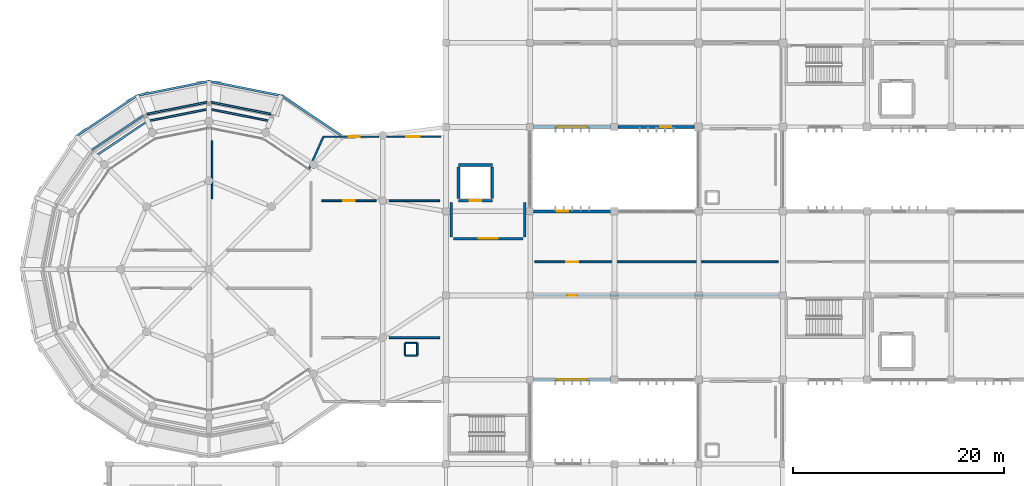
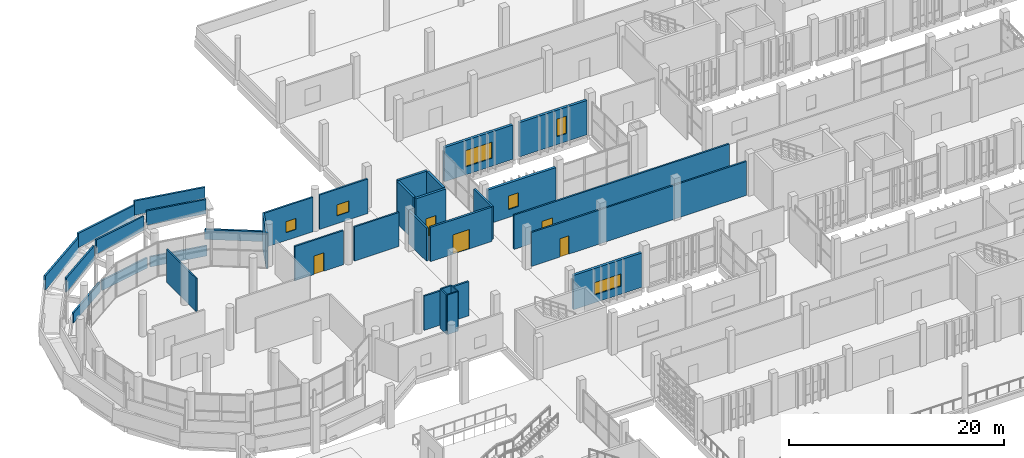
# One storey, part 79 of 106: 34 walls, 6 windows, 5 doors, 11 openings.
"""IFC4 building model written with IfcOpenShell, lengths in metres."""

from ifc_helpers import new_model, si_unit, direction, frame, frame_2d, origin, place, context, subcontext, project, spatial, rectangle, extrude, material, layer, layer_set, type_object, element, fill, save


model = new_model("IFC4")

# Units and contexts
model_context = context("Model", 3, precision=1e-05, world=origin(), true_north=direction((0.0, 1.0)))
body_context = subcontext(model_context, "Body", "Model", "MODEL_VIEW")
ifc_project = project(units=[si_unit("LENGTHUNIT", "METRE"), si_unit("AREAUNIT", "SQUARE_METRE"), si_unit("VOLUMEUNIT", "CUBIC_METRE"), si_unit("PLANEANGLEUNIT", "RADIAN"), si_unit("MASSUNIT", "GRAM", prefix="KILO")], contexts=[model_context])

# Site, building, storey
site_placement = place(None, origin())
site = spatial("IfcSite", under=ifc_project, at=site_placement, CompositionType="ELEMENT")
building_placement = place(site_placement, origin())
building = spatial("IfcBuilding", under=site, at=building_placement, Name="Jelvoka-Kovrelna Polytechnic", CompositionType="ELEMENT")
storey_placement = place(building_placement, frame((0.0, 0.0, 4.800048828125)))
storey = spatial("IfcBuildingStorey", under=building, at=storey_placement, Name="L02", CompositionType="ELEMENT", Elevation=4.800048828125)

# Wall, opening, door
ifc_material_1 = material(Name="Concrete C35/45", Category="concrete")
ifc_layer_1 = layer(ifc_material_1, 0.219970703125)
ifc_layer_set_1 = layer_set([ifc_layer_1], Name="Concrete C35/45")
wall_type_1 = type_object("IfcWallType", Name="Wall_Compartment_220", PredefinedType="PARTITIONING", material=ifc_layer_set_1)
wall_1_placement = place(storey_placement, frame((48.699951171875, 45.39990234375, 0.0), z_axis=(0.0, 0.0, 1.0), x_axis=(1.0, 0.0, 0.0)))
wall_1 = element("IfcWall", 1, at=wall_1_placement, inside=storey, type_object=wall_type_1, Name="L02 interior wall 0574", PredefinedType="PARTITIONING", context=body_context, shape_type="SweptSolid", body=[
    extrude(rectangle(XDim=6.60009765625, YDim=0.219970703125, at=frame_2d((3.300048828125, 0.0))), origin(), (0.0, 0.0, 1.0), 3.89990234375),
])
opening_1_placement = place(wall_1_placement, frame((2.39990234375, 0.0, 0.0)))
opening_1 = element("IfcOpeningElement", 2, at=opening_1_placement, cuts=wall_1, Name="Opening FD-L02-103", PredefinedType="OPENING", context=body_context, shape_type="SweptSolid", body=[
    extrude(rectangle(XDim=1.800048828125, YDim=2.199951171875, at=frame_2d((0.89990234375, 1.10009765625))), frame((0.0, 0.119873046875, 0.0), z_axis=(0.0, -1.0, 0.0), x_axis=(1.0, 0.0, 0.0)), (0.0, 0.0, 1.0), 0.239990234375),
])
ifc_material_2 = material(Name="Paired steel corridor fire door", Category="steel")
door_type_1 = type_object("IfcDoorType", Name="Door_Fire_FD03", OperationType="NOTDEFINED", PredefinedType="DOOR", material=ifc_material_2)
door_1_placement = place(opening_1_placement, origin())
door_1 = element("IfcDoor", 3, at=door_1_placement, inside=storey, type_object=door_type_1, Name="L02 interior door FD-L02-103", OperationType="DOUBLE_DOOR_SINGLE_SWING", OverallHeight=2.199951171875, OverallWidth=1.800048828125, PredefinedType="DOOR", context=body_context, shape_type="SweptSolid", body=[
    extrude(rectangle(XDim=1.800048828125, YDim=2.199951171875, at=frame_2d((0.89990234375, 1.10009765625))), frame((0.0, 0.02490234375, 0.0), z_axis=(0.0, -1.0, 0.0), x_axis=(1.0, 0.0, 0.0)), (0.0, 0.0, 1.0), 0.050048828125),
])
fill(opening_1, door_1)

# Walls
for number, where, z_axis, x_axis, name in (
    (4, (48.5, 45.550048828125, 0.0), (0.0, 0.0, 1.0), (0.0, 1.0, 0.0), "L02 interior wall 0575"),
    (5, (55.5, 45.550048828125, 0.0), (0.0, 0.0, 1.0), (0.0, 1.0, 0.0), "L02 interior wall 0576"),
):
    element("IfcWall", number, at=place(storey_placement, frame(where, z_axis=z_axis, x_axis=x_axis)), inside=storey, type_object=wall_type_1, Name=name, PredefinedType="PARTITIONING", context=body_context, shape_type="SweptSolid", body=[
        extrude(rectangle(XDim=3.300048828125, YDim=0.219970703125, at=frame_2d((1.64990234375, 0.0))), origin(), (0.0, 0.0, 1.0), 3.760009765625),
    ])

# Wall, opening, door
ifc_material_3 = material(Name="Concrete C40/50", Category="concrete")
ifc_layer_2 = layer(ifc_material_3, 0.25)
ifc_layer_set_2 = layer_set([ifc_layer_2], Name="Concrete C40/50")
wall_type_2 = type_object("IfcWallType", Name="Wall_Core_250", PredefinedType="SOLIDWALL", material=ifc_layer_set_2)
wall_2_placement = place(storey_placement, frame((49.199951171875, 49.0, 0.0), z_axis=(0.0, 0.0, 1.0), x_axis=(1.0, 0.0, 0.0)))
wall_2 = element("IfcWall", 6, at=wall_2_placement, inside=storey, type_object=wall_type_2, Name="L02 interior wall 0570", PredefinedType="SOLIDWALL", context=body_context, shape_type="SweptSolid", body=[
    extrude(rectangle(XDim=3.199951171875, YDim=0.25, at=frame_2d((1.60009765625, 0.0))), origin(), (0.0, 0.0, 1.0), 4.800048828125),
])
opening_2_placement = place(wall_2_placement, frame((1.050048828125, 0.0, 0.0)))
opening_2 = element("IfcOpeningElement", 7, at=opening_2_placement, cuts=wall_2, Name="Opening LD-L02-40", PredefinedType="OPENING", context=body_context, shape_type="SweptSolid", body=[
    extrude(rectangle(XDim=1.10009765625, YDim=2.14990234375, at=frame_2d((0.550048828125, 1.074951171875))), frame((0.0, 0.135009765625, 0.0), z_axis=(0.0, -1.0, 0.0), x_axis=(1.0, 0.0, 0.0)), (0.0, 0.0, 1.0), 0.27001953125),
])
ifc_material_4 = material(Name="Brushed stainless steel sliding landing door", Category="steel")
door_type_2 = type_object("IfcDoorType", Name="Door_Lift_LD01", OperationType="NOTDEFINED", PredefinedType="DOOR", material=ifc_material_4)
door_2_placement = place(opening_2_placement, origin())
door_2 = element("IfcDoor", 8, at=door_2_placement, inside=storey, type_object=door_type_2, Name="L02 lift landing sliding door LD-L02-40", OperationType="DOUBLE_DOOR_SLIDING", OverallHeight=2.14990234375, OverallWidth=1.10009765625, PredefinedType="DOOR", context=body_context, shape_type="SweptSolid", body=[
    extrude(rectangle(XDim=1.10009765625, YDim=2.14990234375, at=frame_2d((0.550048828125, 1.074951171875))), frame((0.0, 0.02490234375, 0.0), z_axis=(0.0, -1.0, 0.0), x_axis=(1.0, 0.0, 0.0)), (0.0, 0.0, 1.0), 0.050048828125),
])
fill(opening_2, door_2)

# Walls
wall_3_placement = place(storey_placement, frame((49.199951171875, 52.39990234375, 0.0), z_axis=(0.0, 0.0, 1.0), x_axis=(1.0, 0.0, 0.0)))
element("IfcWall", 9, at=wall_3_placement, inside=storey, type_object=wall_type_2, Name="L02 interior wall 0571", PredefinedType="SOLIDWALL", context=body_context, shape_type="SweptSolid", body=[
    extrude(rectangle(XDim=3.199951171875, YDim=0.25, at=frame_2d((1.60009765625, 0.0))), origin(), (0.0, 0.0, 1.0), 4.800048828125),
])
for number, where, z_axis, x_axis, name in (
    (10, (49.199951171875, 49.199951171875, 0.0), (0.0, 0.0, 1.0), (0.0, 1.0, 0.0), "L02 interior wall 0572"),
    (11, (52.39990234375, 49.199951171875, 0.0), (0.0, 0.0, 1.0), (0.0, 1.0, 0.0), "L02 interior wall 0573"),
):
    element("IfcWall", number, at=place(storey_placement, frame(where, z_axis=z_axis, x_axis=x_axis)), inside=storey, type_object=wall_type_2, Name=name, PredefinedType="SOLIDWALL", context=body_context, shape_type="SweptSolid", body=[
        extrude(rectangle(XDim=3.0, YDim=0.25, at=frame_2d((1.5, 0.0))), origin(), (0.0, 0.0, 1.0), 4.800048828125),
    ])

# Wall, opening, door
ifc_material_5 = material(Name="Autoclaved aerated concrete blockwork", Category="masonry")
ifc_layer_3 = layer(ifc_material_5, 0.179931640625)
ifc_layer_set_3 = layer_set([ifc_layer_3], Name="Autoclaved aerated concrete blockwork")
wall_type_3 = type_object("IfcWallType", Name="Wall_Corridor_180", PredefinedType="PARTITIONING", material=ifc_layer_set_3)
wall_4_placement = place(storey_placement, frame((56.429931640625, 40.0, 0.0), z_axis=(0.0, 0.0, 1.0), x_axis=(1.0, 0.0, 0.0)))
wall_4 = element("IfcWall", 12, at=wall_4_placement, inside=storey, type_object=wall_type_3, Name="L02 interior wall 0960", PredefinedType="PARTITIONING", context=body_context, shape_type="SweptSolid", body=[
    extrude(rectangle(XDim=23.14013671875, YDim=0.179931640625, at=frame_2d((11.570068359375, 0.0))), origin(), (0.0, 0.0, 1.0), 3.85986328125),
])
opening_3_placement = place(wall_4_placement, frame((3.094970703125, 0.0, 0.0)))
opening_3 = element("IfcOpeningElement", 13, at=opening_3_placement, cuts=wall_4, Name="Opening D-L02-230", PredefinedType="OPENING", context=body_context, shape_type="SweptSolid", body=[
    extrude(rectangle(XDim=0.949951171875, YDim=2.10009765625, at=frame_2d((0.47509765625, 1.050048828125))), frame((0.0, 0.099853515625, 0.0), z_axis=(0.0, -1.0, 0.0), x_axis=(1.0, 0.0, 0.0)), (0.0, 0.0, 1.0), 0.199951171875),
])
ifc_material_6 = material(Name="Hardwood fire-resisting laboratory door", Category="wood")
door_type_3 = type_object("IfcDoorType", Name="Door_Fire_FD30_01", OperationType="NOTDEFINED", PredefinedType="DOOR", material=ifc_material_6)
door_3_placement = place(opening_3_placement, origin())
door_3 = element("IfcDoor", 14, at=door_3_placement, inside=storey, type_object=door_type_3, Name="L02 interior door D-L02-230", OperationType="SINGLE_SWING_RIGHT", OverallHeight=2.10009765625, OverallWidth=0.949951171875, PredefinedType="DOOR", context=body_context, shape_type="SweptSolid", body=[
    extrude(rectangle(XDim=0.949951171875, YDim=2.10009765625, at=frame_2d((0.47509765625, 1.050048828125))), frame((0.0, 0.02490234375, 0.0), z_axis=(0.0, -1.0, 0.0), x_axis=(1.0, 0.0, 0.0)), (0.0, 0.0, 1.0), 0.050048828125),
])
fill(opening_3, door_3)

wall_5_placement = place(storey_placement, frame((56.429931640625, 43.199951171875, 0.0), z_axis=(0.0, 0.0, 1.0), x_axis=(1.0, 0.0, 0.0)))
wall_5 = element("IfcWall", 15, at=wall_5_placement, inside=storey, type_object=wall_type_3, Name="L02 interior wall 0962", PredefinedType="PARTITIONING", context=body_context, shape_type="SweptSolid", body=[
    extrude(rectangle(XDim=23.14013671875, YDim=0.179931640625, at=frame_2d((11.570068359375, 0.0))), origin(), (0.0, 0.0, 1.0), 3.89990234375),
])
opening_4_placement = place(wall_5_placement, frame((2.9951171875, 0.0, 0.0)))
opening_4 = element("IfcOpeningElement", 16, at=opening_4_placement, cuts=wall_5, Name="Opening D-L02-232", PredefinedType="OPENING", context=body_context, shape_type="SweptSolid", body=[
    extrude(rectangle(XDim=1.14990234375, YDim=2.14990234375, at=frame_2d((0.574951171875, 1.074951171875))), frame((0.0, 0.099853515625, 0.0), z_axis=(0.0, -1.0, 0.0), x_axis=(1.0, 0.0, 0.0)), (0.0, 0.0, 1.0), 0.199951171875),
])
ifc_material_7 = material(Name="Hardwood fire-resisting laboratory door", Category="wood")
door_type_4 = type_object("IfcDoorType", Name="Door_Fire_FD30_03", OperationType="NOTDEFINED", PredefinedType="DOOR", material=ifc_material_7)
door_4_placement = place(opening_4_placement, origin())
door_4 = element("IfcDoor", 17, at=door_4_placement, inside=storey, type_object=door_type_4, Name="L02 interior door D-L02-232", OperationType="SINGLE_SWING_RIGHT", OverallHeight=2.14990234375, OverallWidth=1.14990234375, PredefinedType="DOOR", context=body_context, shape_type="SweptSolid", body=[
    extrude(rectangle(XDim=1.14990234375, YDim=2.14990234375, at=frame_2d((0.574951171875, 1.074951171875))), frame((0.0, 0.02490234375, 0.0), z_axis=(0.0, -1.0, 0.0), x_axis=(1.0, 0.0, 0.0)), (0.0, 0.0, 1.0), 0.050048828125),
])
fill(opening_4, door_4)

# Walls
wall_6_placement = place(storey_placement, frame((42.60009765625, 36.0, 0.0), z_axis=(0.0, 0.0, 1.0), x_axis=(1.0, 0.0, 0.0)))
element("IfcWall", 18, at=wall_6_placement, inside=storey, type_object=wall_type_3, Name="L02 interior wall 1011", PredefinedType="PARTITIONING", context=body_context, shape_type="SweptSolid", body=[
    extrude(rectangle(XDim=4.7998046875, YDim=0.179931640625, at=frame_2d((2.39990234375, 0.0))), origin(), (0.0, 0.0, 1.0), 3.89990234375),
])
wall_7_placement = place(storey_placement, frame((42.60009765625, 49.0, 0.0), z_axis=(0.0, 0.0, 1.0), x_axis=(1.0, 0.0, 0.0)))
element("IfcWall", 19, at=wall_7_placement, inside=storey, type_object=wall_type_3, Name="L02 interior wall 1014", PredefinedType="PARTITIONING", context=body_context, shape_type="SweptSolid", body=[
    extrude(rectangle(XDim=4.7998046875, YDim=0.179931640625, at=frame_2d((2.39990234375, 0.0))), origin(), (0.0, 0.0, 1.0), 3.875),
])

# Wall, opening, door
wall_8_placement = place(storey_placement, frame((36.199951171875, 49.0, 0.0), z_axis=(0.0, 0.0, 1.0), x_axis=(1.0, 0.0, 0.0)))
wall_8 = element("IfcWall", 20, at=wall_8_placement, inside=storey, type_object=wall_type_3, Name="L02 interior wall 1016", PredefinedType="PARTITIONING", context=body_context, shape_type="SweptSolid", body=[
    extrude(rectangle(XDim=5.199951171875, YDim=0.179931640625, at=frame_2d((2.60009765625, 0.0))), origin(), (0.0, 0.0, 1.0), 3.89990234375),
])
opening_5_placement = place(wall_8_placement, frame((2.070068359375, 0.0, 0.0)))
opening_5 = element("IfcOpeningElement", 21, at=opening_5_placement, cuts=wall_8, Name="Opening D-L02-267", PredefinedType="OPENING", context=body_context, shape_type="SweptSolid", body=[
    extrude(rectangle(XDim=1.06005859375, YDim=2.10009765625, at=frame_2d((0.530029296875, 1.050048828125))), frame((0.0, 0.099853515625, 0.0), z_axis=(0.0, -1.0, 0.0), x_axis=(1.0, 0.0, 0.0)), (0.0, 0.0, 1.0), 0.199951171875),
])
ifc_material_8 = material(Name="Hardwood solid-core door", Category="wood")
door_type_5 = type_object("IfcDoorType", Name="Door_Int_D05", OperationType="NOTDEFINED", PredefinedType="DOOR", material=ifc_material_8)
door_5_placement = place(opening_5_placement, origin())
door_5 = element("IfcDoor", 22, at=door_5_placement, inside=storey, type_object=door_type_5, Name="L02 interior door D-L02-267", OperationType="SINGLE_SWING_RIGHT", OverallHeight=2.10009765625, OverallWidth=1.06005859375, PredefinedType="DOOR", context=body_context, shape_type="SweptSolid", body=[
    extrude(rectangle(XDim=1.06005859375, YDim=2.10009765625, at=frame_2d((0.530029296875, 1.050048828125))), frame((0.0, 0.02490234375, 0.0), z_axis=(0.0, -1.0, 0.0), x_axis=(1.0, 0.0, 0.0)), (0.0, 0.0, 1.0), 0.050048828125),
])
fill(opening_5, door_5)

# Wall
ifc_material_9 = material(Name="Precast concrete C40/50", Category="concrete")
ifc_layer_4 = layer(ifc_material_9, 0.18505859375)
ifc_layer_set_4 = layer_set([ifc_layer_4], Name="Precast concrete C40/50")
wall_type_4 = type_object("IfcWallType", Name="Wall_Ext_White_260", PredefinedType="STANDARD", material=ifc_layer_set_4)
wall_9_placement = place(storey_placement, frame((34.97509765625, 51.97509765625, 0.0), z_axis=(0.0, 0.0, 1.0), x_axis=(0.40761125598, 0.913155553013, 0.0)))
element("IfcWall", 23, at=wall_9_placement, inside=storey, type_object=wall_type_4, Name="L02 exterior wall 0976", PredefinedType="STANDARD", context=body_context, shape_type="SweptSolid", body=[
    extrude(rectangle(XDim=3.39794921875, YDim=0.18505859375, at=frame_2d((1.698974609375, 0.0))), origin(), (0.0, 0.0, 1.0), 3.949951171875),
])

# Wall, opening, window
wall_10_placement = place(storey_placement, frame((36.340087890625, 55.077880859375, 0.0), z_axis=(0.0, 0.0, 1.0), x_axis=(1.0, 0.0, 0.0)))
wall_10 = element("IfcWall", 24, at=wall_10_placement, inside=storey, type_object=wall_type_4, Name="L02 exterior wall 0977", PredefinedType="STANDARD", context=body_context, shape_type="SweptSolid", body=[
    extrude(rectangle(XDim=5.287841796875, YDim=0.18505859375, at=frame_2d((2.64404296875, 0.0))), origin(), (0.0, 0.0, 1.0), 3.925048828125),
])
opening_6_placement = place(wall_10_placement, frame((2.409912109375, 0.0, 0.89990234375)))
opening_6 = element("IfcOpeningElement", 25, at=opening_6_placement, cuts=wall_10, Name="Opening W-L02-543", PredefinedType="OPENING", context=body_context, shape_type="SweptSolid", body=[
    extrude(rectangle(XDim=1.050048828125, YDim=1.25, at=frame_2d((0.52490234375, 0.625))), frame((0.0, 0.1025390625, 0.0), z_axis=(0.0, -1.0, 0.0), x_axis=(1.0, 0.0, 0.0)), (0.0, 0.0, 1.0), 0.205078125),
])
ifc_material_10 = material(Name="Thermally broken anodised aluminium and low-e glazing", Category="aluminium")
window_type_1 = type_object("IfcWindowType", Name="Win_Casement_W01", PartitioningType="SINGLE_PANEL", PredefinedType="WINDOW", material=ifc_material_10)
window_1_placement = place(opening_6_placement, origin())
window_1 = element("IfcWindow", 26, at=window_1_placement, inside=storey, type_object=window_type_1, Name="L02 aluminium casement window W-L02-543", OverallHeight=1.25, OverallWidth=1.050048828125, PartitioningType="SINGLE_PANEL", PredefinedType="WINDOW", context=body_context, shape_type="SweptSolid", body=[
    extrude(rectangle(XDim=1.050048828125, YDim=1.25, at=frame_2d((0.52490234375, 0.625))), frame((0.0, 0.030029296875, 0.0), z_axis=(0.0, -1.0, 0.0), x_axis=(1.0, 0.0, 0.0)), (0.0, 0.0, 1.0), 0.06005859375),
])
fill(opening_6, window_1)

wall_11_placement = place(storey_placement, frame((42.3720703125, 55.077880859375, 0.0), z_axis=(0.0, 0.0, 1.0), x_axis=(1.0, 0.0, 0.0)))
wall_11 = element("IfcWall", 27, at=wall_11_placement, inside=storey, type_object=wall_type_4, Name="L02 exterior wall 0978", PredefinedType="STANDARD", context=body_context, shape_type="SweptSolid", body=[
    extrude(rectangle(XDim=5.177978515625, YDim=0.18505859375, at=frame_2d((2.5888671875, 0.0))), origin(), (0.0, 0.0, 1.0), 3.925048828125),
])
opening_7_placement = place(wall_11_placement, frame((1.8779296875, 0.0, 0.89990234375)))
opening_7 = element("IfcOpeningElement", 28, at=opening_7_placement, cuts=wall_11, Name="Opening W-L02-544", PredefinedType="OPENING", context=body_context, shape_type="SweptSolid", body=[
    extrude(rectangle(XDim=1.25, YDim=1.25, at=frame_2d((0.625, 0.625))), frame((0.0, 0.1025390625, 0.0), z_axis=(0.0, -1.0, 0.0), x_axis=(1.0, 0.0, 0.0)), (0.0, 0.0, 1.0), 0.205078125),
])
ifc_material_11 = material(Name="Thermally broken anodised aluminium and low-e glazing", Category="aluminium")
window_type_2 = type_object("IfcWindowType", Name="Win_Casement_W02", PartitioningType="SINGLE_PANEL", PredefinedType="WINDOW", material=ifc_material_11)
window_2_placement = place(opening_7_placement, origin())
window_2 = element("IfcWindow", 29, at=window_2_placement, inside=storey, type_object=window_type_2, Name="L02 aluminium casement window W-L02-544", OverallHeight=1.25, OverallWidth=1.25, PartitioningType="SINGLE_PANEL", PredefinedType="WINDOW", context=body_context, shape_type="SweptSolid", body=[
    extrude(rectangle(XDim=1.25, YDim=1.25, at=frame_2d((0.625, 0.625))), frame((0.0, 0.030029296875, 0.0), z_axis=(0.0, -1.0, 0.0), x_axis=(1.0, 0.0, 0.0)), (0.0, 0.0, 1.0), 0.06005859375),
])
fill(opening_7, window_2)

ifc_material_12 = material(Name="Precast concrete C40/50", Category="concrete")
ifc_layer_5 = layer(ifc_material_12, 0.280029296875)
ifc_layer_set_5 = layer_set([ifc_layer_5], Name="Precast concrete C40/50")
wall_type_5 = type_object("IfcWallType", Name="Wall_Ext_White_280", PredefinedType="STANDARD", material=ifc_layer_set_5)
wall_12_placement = place(storey_placement, frame((63.653076171875, 32.0, 0.0), z_axis=(0.0, 0.0, 1.0), x_axis=(-1.0, 0.0, 0.0)))
wall_12 = element("IfcWall", 30, at=wall_12_placement, inside=storey, type_object=wall_type_5, Name="L02 exterior wall 0376", PredefinedType="STANDARD", context=body_context, shape_type="SweptSolid", body=[
    extrude(rectangle(XDim=7.3310546875, YDim=0.280029296875, at=frame_2d((3.66552734375, 0.0))), origin(), (0.0, 0.0, 1.0), 3.909912109375),
])
opening_8_placement = place(wall_12_placement, frame((2.23291015625, 0.0, 0.89990234375)))
opening_8 = element("IfcOpeningElement", 31, at=opening_8_placement, cuts=wall_12, Name="Opening W-L02-121", PredefinedType="OPENING", context=body_context, shape_type="SweptSolid", body=[
    extrude(rectangle(XDim=2.85009765625, YDim=1.39990234375, at=frame_2d((1.425048828125, 0.699951171875))), frame((0.0, 0.150146484375, 0.0), z_axis=(0.0, -1.0, 0.0), x_axis=(1.0, 0.0, 0.0)), (0.0, 0.0, 1.0), 0.300048828125),
])
ifc_material_13 = material(Name="Thermally broken anodised aluminium and low-e glazing", Category="aluminium")
window_type_3 = type_object("IfcWindowType", Name="Win_Casement_W20", PartitioningType="DOUBLE_PANEL_VERTICAL", PredefinedType="WINDOW", material=ifc_material_13)
window_3_placement = place(opening_8_placement, origin())
window_3 = element("IfcWindow", 32, at=window_3_placement, inside=storey, type_object=window_type_3, Name="L02 aluminium casement window W-L02-121", OverallHeight=1.39990234375, OverallWidth=2.85009765625, PartitioningType="DOUBLE_PANEL_VERTICAL", PredefinedType="WINDOW", context=body_context, shape_type="SweptSolid", body=[
    extrude(rectangle(XDim=2.85009765625, YDim=1.39990234375, at=frame_2d((1.425048828125, 0.699951171875))), frame((0.0, 0.030029296875, 0.0), z_axis=(0.0, -1.0, 0.0), x_axis=(1.0, 0.0, 0.0)), (0.0, 0.0, 1.0), 0.06005859375),
])
fill(opening_8, window_3)

wall_13_placement = place(storey_placement, frame((56.322021484375, 48.0, 0.0), z_axis=(0.0, 0.0, 1.0), x_axis=(1.0, 0.0, 0.0)))
wall_13 = element("IfcWall", 33, at=wall_13_placement, inside=storey, type_object=wall_type_5, Name="L02 exterior wall 0377", PredefinedType="STANDARD", context=body_context, shape_type="SweptSolid", body=[
    extrude(rectangle(XDim=7.3310546875, YDim=0.280029296875, at=frame_2d((3.66552734375, 0.0))), origin(), (0.0, 0.0, 1.0), 3.909912109375),
])
opening_9_placement = place(wall_13_placement, frame((2.258056640625, 0.0, 0.89990234375)))
opening_9 = element("IfcOpeningElement", 34, at=opening_9_placement, cuts=wall_13, Name="Opening W-L02-122", PredefinedType="OPENING", context=body_context, shape_type="SweptSolid", body=[
    extrude(rectangle(XDim=1.050048828125, YDim=1.550048828125, at=frame_2d((0.52490234375, 0.77490234375))), frame((0.0, 0.150146484375, 0.0), z_axis=(0.0, -1.0, 0.0), x_axis=(1.0, 0.0, 0.0)), (0.0, 0.0, 1.0), 0.300048828125),
])
ifc_material_14 = material(Name="Thermally broken anodised aluminium and low-e glazing", Category="aluminium")
window_type_4 = type_object("IfcWindowType", Name="Win_Casement_W21", PartitioningType="SINGLE_PANEL", PredefinedType="WINDOW", material=ifc_material_14)
window_4_placement = place(opening_9_placement, origin())
window_4 = element("IfcWindow", 35, at=window_4_placement, inside=storey, type_object=window_type_4, Name="L02 aluminium casement window W-L02-122", OverallHeight=1.550048828125, OverallWidth=1.050048828125, PartitioningType="SINGLE_PANEL", PredefinedType="WINDOW", context=body_context, shape_type="SweptSolid", body=[
    extrude(rectangle(XDim=1.050048828125, YDim=1.550048828125, at=frame_2d((0.52490234375, 0.77490234375))), frame((0.0, 0.030029296875, 0.0), z_axis=(0.0, -1.0, 0.0), x_axis=(1.0, 0.0, 0.0)), (0.0, 0.0, 1.0), 0.06005859375),
])
fill(opening_9, window_4)

wall_14_placement = place(storey_placement, frame((63.653076171875, 56.0, 0.0), z_axis=(0.0, 0.0, 1.0), x_axis=(-1.0, 0.0, 0.0)))
wall_14 = element("IfcWall", 36, at=wall_14_placement, inside=storey, type_object=wall_type_5, Name="L02 exterior wall 0607", PredefinedType="STANDARD", context=body_context, shape_type="SweptSolid", body=[
    extrude(rectangle(XDim=7.3310546875, YDim=0.280029296875, at=frame_2d((3.66552734375, 0.0))), origin(), (0.0, 0.0, 1.0), 3.909912109375),
])
opening_10_placement = place(wall_14_placement, frame((2.23291015625, 0.0, 0.89990234375)))
opening_10 = element("IfcOpeningElement", 37, at=opening_10_placement, cuts=wall_14, Name="Opening W-L02-281", PredefinedType="OPENING", context=body_context, shape_type="SweptSolid", body=[
    extrude(rectangle(XDim=2.85009765625, YDim=1.85009765625, at=frame_2d((1.425048828125, 0.925048828125))), frame((0.0, 0.150146484375, 0.0), z_axis=(0.0, -1.0, 0.0), x_axis=(1.0, 0.0, 0.0)), (0.0, 0.0, 1.0), 0.300048828125),
])
ifc_material_15 = material(Name="Thermally broken anodised aluminium and low-e glazing", Category="aluminium")
window_type_5 = type_object("IfcWindowType", Name="Win_Casement_W50", PartitioningType="DOUBLE_PANEL_VERTICAL", PredefinedType="WINDOW", material=ifc_material_15)
window_5_placement = place(opening_10_placement, origin())
window_5 = element("IfcWindow", 38, at=window_5_placement, inside=storey, type_object=window_type_5, Name="L02 aluminium casement window W-L02-281", OverallHeight=1.85009765625, OverallWidth=2.85009765625, PartitioningType="DOUBLE_PANEL_VERTICAL", PredefinedType="WINDOW", context=body_context, shape_type="SweptSolid", body=[
    extrude(rectangle(XDim=2.85009765625, YDim=1.85009765625, at=frame_2d((1.425048828125, 0.925048828125))), frame((0.0, 0.030029296875, 0.0), z_axis=(0.0, -1.0, 0.0), x_axis=(1.0, 0.0, 0.0)), (0.0, 0.0, 1.0), 0.06005859375),
])
fill(opening_10, window_5)

wall_15_placement = place(storey_placement, frame((71.6279296875, 56.0, 0.0), z_axis=(0.0, 0.0, 1.0), x_axis=(-1.0, 0.0, 0.0)))
wall_15 = element("IfcWall", 39, at=wall_15_placement, inside=storey, type_object=wall_type_5, Name="L02 exterior wall 0608", PredefinedType="STANDARD", context=body_context, shape_type="SweptSolid", body=[
    extrude(rectangle(XDim=7.281005859375, YDim=0.280029296875, at=frame_2d((3.640625, 0.0))), origin(), (0.0, 0.0, 1.0), 3.909912109375),
])
opening_11_placement = place(wall_15_placement, frame((2.2080078125, 0.0, 0.89990234375)))
opening_11 = element("IfcOpeningElement", 40, at=opening_11_placement, cuts=wall_15, Name="Opening W-L02-282", PredefinedType="OPENING", context=body_context, shape_type="SweptSolid", body=[
    extrude(rectangle(XDim=1.050048828125, YDim=2.0, at=frame_2d((0.52490234375, 1.0))), frame((0.0, 0.150146484375, 0.0), z_axis=(0.0, -1.0, 0.0), x_axis=(1.0, 0.0, 0.0)), (0.0, 0.0, 1.0), 0.300048828125),
])
ifc_material_16 = material(Name="Thermally broken anodised aluminium and low-e glazing", Category="aluminium")
window_type_6 = type_object("IfcWindowType", Name="Win_Casement_W51", PartitioningType="SINGLE_PANEL", PredefinedType="WINDOW", material=ifc_material_16)
window_6_placement = place(opening_11_placement, origin())
window_6 = element("IfcWindow", 41, at=window_6_placement, inside=storey, type_object=window_type_6, Name="L02 aluminium casement window W-L02-282", OverallHeight=2.0, OverallWidth=1.050048828125, PartitioningType="SINGLE_PANEL", PredefinedType="WINDOW", context=body_context, shape_type="SweptSolid", body=[
    extrude(rectangle(XDim=1.050048828125, YDim=2.0, at=frame_2d((0.52490234375, 1.0))), frame((0.0, 0.030029296875, 0.0), z_axis=(0.0, -1.0, 0.0), x_axis=(1.0, 0.0, 0.0)), (0.0, 0.0, 1.0), 0.06005859375),
])
fill(opening_11, window_6)

# Walls
ifc_material_17 = material(Name="Precast concrete C40/50", Category="concrete")
ifc_layer_6 = layer(ifc_material_17, 0.179931640625)
ifc_layer_set_6 = layer_set([ifc_layer_6], Name="Precast concrete C40/50")
wall_type_6 = type_object("IfcWallType", Name="Wall_Parapet_180", PredefinedType="PARAPET", material=ifc_layer_set_6)
for number, where, z_axis, x_axis, name in (
    (42, (31.16748046875, 56.592529296875, 0.0), (0.0, 0.0, 1.0), (-0.980782378932, 0.19510490813, 0.0), "L02 exterior wall 0965"),
    (43, (25.343017578125, 57.688720703125, 0.0), (0.0, 0.0, 1.0), (-0.980782378932, -0.19510490813, 0.0), "L02 exterior wall 0966"),
    (44, (19.54248046875, 56.472412109375, 0.0), (0.0, 0.0, 1.0), (-0.831481620435, -0.555552261158, 0.0), "L02 exterior wall 0967"),
):
    element("IfcWall", number, at=place(storey_placement, frame(where, z_axis=z_axis, x_axis=x_axis)), inside=storey, type_object=wall_type_6, Name=name, PredefinedType="PARAPET", context=body_context, shape_type="SweptSolid", body=[
        extrude(rectangle(XDim=5.618408203125, YDim=0.179931640625, at=frame_2d((2.80908203125, 0.0))), origin(), (0.0, 0.0, 1.0), 1.14990234375),
    ])
wall_16_placement = place(storey_placement, frame((14.389892578125, 53.831787109375, 3.369873046875), z_axis=(0.0, 0.0, 1.0), x_axis=(0.831462553548, 0.555580797046, 0.0)))
element("IfcWall", 45, at=wall_16_placement, inside=storey, type_object=wall_type_6, Name="L02 exterior wall 1074", PredefinedType="PARAPET", context=body_context, shape_type="SweptSolid", body=[
    extrude(rectangle(XDim=5.884033203125, YDim=0.179931640625, at=frame_2d((2.94189453125, 0.0))), origin(), (0.0, 0.0, 1.0), 1.6201171875),
])
for number, where, z_axis, x_axis, name in (
    (46, (19.572265625, 57.220947265625, 3.849853515625), (0.0, 0.0, 1.0), (0.980782832021, 0.195102630459, 0.0), "L02 exterior wall 1076"),
    (47, (25.656982421875, 58.368896484375, 4.329833984375), (0.0, 0.0, 1.0), (0.980782832021, -0.195102630459, 0.0), "L02 exterior wall 1078"),
):
    element("IfcWall", number, at=place(storey_placement, frame(where, z_axis=z_axis, x_axis=x_axis)), inside=storey, type_object=wall_type_6, Name=name, PredefinedType="PARAPET", context=body_context, shape_type="SweptSolid", body=[
        extrude(rectangle(XDim=5.8837890625, YDim=0.179931640625, at=frame_2d((2.94189453125, 0.0))), origin(), (0.0, 0.0, 1.0), 1.6201171875),
    ])
ifc_material_18 = material(Name="Precast concrete C40/50", Category="concrete")
ifc_layer_7 = layer(ifc_material_18, 0.199951171875)
ifc_layer_set_7 = layer_set([ifc_layer_7], Name="Precast concrete C40/50")
wall_type_7 = type_object("IfcWallType", Name="Wall_Parapet_200", PredefinedType="PARAPET", material=ifc_layer_set_7)
wall_17_placement = place(storey_placement, frame((38.14306640625, 55.14306640625, 0.0), z_axis=(0.0, 0.0, 1.0), x_axis=(-0.831468390799, 0.555572061125, 0.0)))
element("IfcWall", 48, at=wall_17_placement, inside=storey, type_object=wall_type_7, Name="L02 exterior wall 0963", PredefinedType="PARAPET", context=body_context, shape_type="SweptSolid", body=[
    extrude(rectangle(XDim=6.9765625, YDim=0.199951171875, at=frame_2d((3.48828125, 0.0))), origin(), (0.0, 0.0, 1.0), 1.14990234375),
])
wall_18_placement = place(storey_placement, frame((12.878173828125, 55.121826171875, 3.369873046875), z_axis=(0.0, 0.0, 1.0), x_axis=(0.831472806966, 0.555565451838, 0.0)))
element("IfcWall", 49, at=wall_18_placement, inside=storey, type_object=wall_type_7, Name="L02 exterior wall 1073", PredefinedType="PARAPET", context=body_context, shape_type="SweptSolid", body=[
    extrude(rectangle(XDim=6.96484375, YDim=0.199951171875, at=frame_2d((3.482421875, 0.0))), origin(), (0.0, 0.0, 1.0), 1.6201171875),
])
for number, where, z_axis, x_axis, name in (
    (50, (18.669189453125, 58.9912109375, 3.849853515625), (0.0, 0.0, 1.0), (0.9807810487, 0.19511159502, 0.0), "L02 exterior wall 1075"),
    (51, (25.5, 60.35009765625, 4.329833984375), (0.0, 0.0, 1.0), (0.9807810487, -0.19511159502, 0.0), "L02 exterior wall 1077"),
):
    element("IfcWall", number, at=place(storey_placement, frame(where, z_axis=z_axis, x_axis=x_axis)), inside=storey, type_object=wall_type_7, Name=name, PredefinedType="PARAPET", context=body_context, shape_type="SweptSolid", body=[
        extrude(rectangle(XDim=6.964599609375, YDim=0.199951171875, at=frame_2d((3.482421875, 0.0))), origin(), (0.0, 0.0, 1.0), 1.6201171875),
    ])
ifc_material_19 = material(Name="Autoclaved aerated concrete blockwork", Category="masonry")
ifc_layer_8 = layer(ifc_material_19, 0.14990234375)
ifc_layer_set_8 = layer_set([ifc_layer_8], Name="Autoclaved aerated concrete blockwork")
wall_type_8 = type_object("IfcWallType", Name="Wall_Partition_150", PredefinedType="PARTITIONING", material=ifc_layer_set_8)
for number, where, z_axis, x_axis, name in (
    (52, (44.1201171875, 34.320068359375, 0.0), (0.0, 0.0, 1.0), (1.0, 0.0, 0.0), "L02 interior wall 0714"),
    (53, (45.280029296875, 34.320068359375, 0.0), (0.0, 0.0, 1.0), (0.0, 1.0, 0.0), "L02 interior wall 0715"),
    (54, (45.280029296875, 35.47998046875, 0.0), (0.0, 0.0, 1.0), (-1.0, 0.0, 0.0), "L02 interior wall 0716"),
    (55, (44.1201171875, 35.47998046875, 0.0), (0.0, 0.0, 1.0), (0.0, -1.0, 0.0), "L02 interior wall 0717"),
):
    element("IfcWall", number, at=place(storey_placement, frame(where, z_axis=z_axis, x_axis=x_axis)), inside=storey, type_object=wall_type_8, Name=name, PredefinedType="PARTITIONING", context=body_context, shape_type="SweptSolid", body=[
        extrude(rectangle(XDim=1.159912109375, YDim=0.14990234375, at=frame_2d((0.580078125, 0.0))), origin(), (0.0, 0.0, 1.0), 4.5),
    ])
wall_19_placement = place(storey_placement, frame((25.800048828125, 49.199951171875, 0.0), z_axis=(0.0, 0.0, 1.0), x_axis=(0.0, 1.0, 0.0)))
element("IfcWall", 56, at=wall_19_placement, inside=storey, type_object=wall_type_8, Name="L02 interior wall 1015", PredefinedType="PARTITIONING", context=body_context, shape_type="SweptSolid", body=[
    extrude(rectangle(XDim=5.5, YDim=0.14990234375, at=frame_2d((2.75, 0.0))), origin(), (0.0, 0.0, 1.0), 3.77490234375),
])

save(model, "model.ifc")
